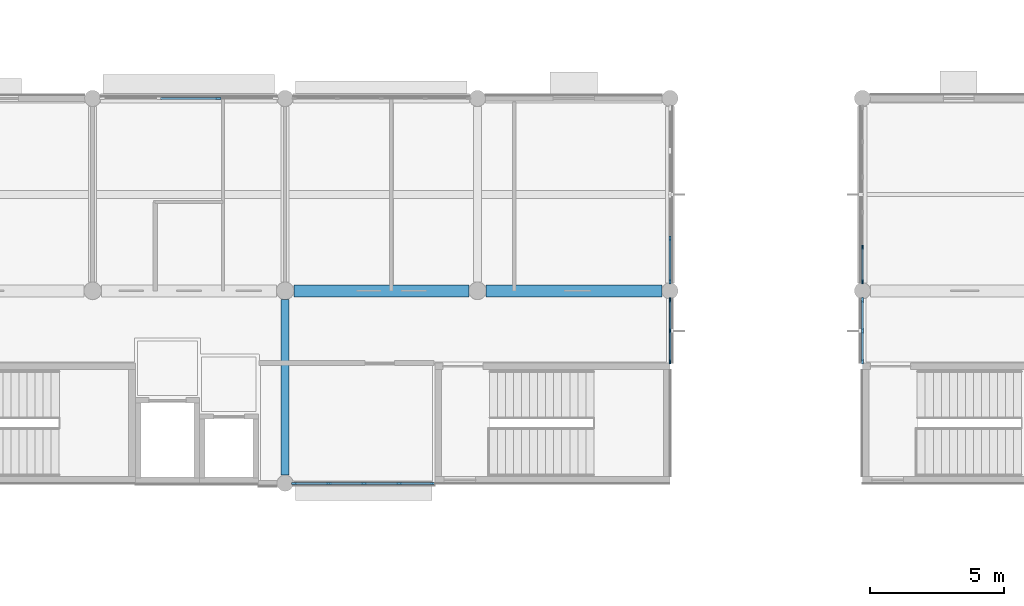
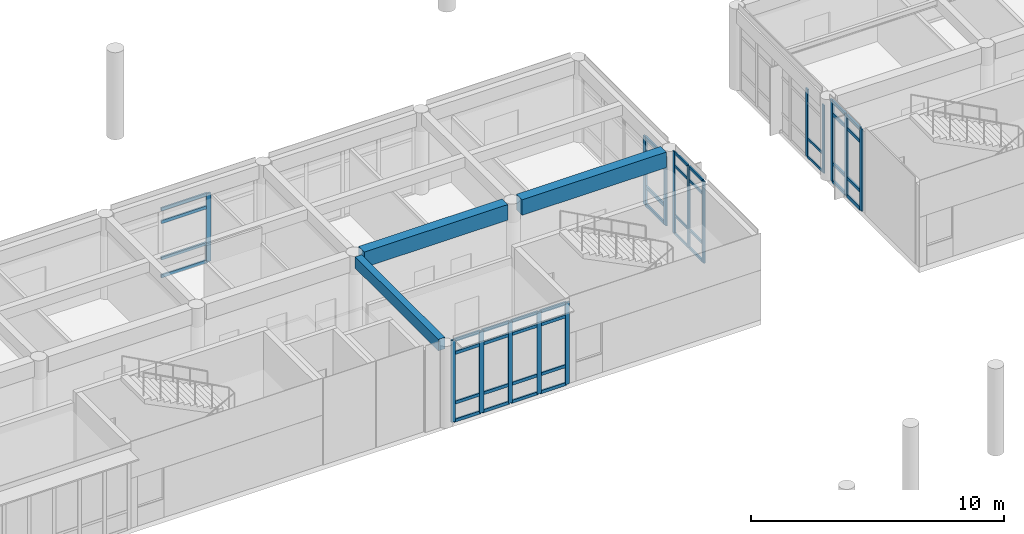
# One storey, part 10 of 55: 58 members, 3 beams, 6 elements without a shape of their own.
"""IFC4 building model written with IfcOpenShell, lengths in metres."""

from ifc_helpers import new_model, si_unit, direction, frame, origin, origin_2d, place, context, subcontext, project, spatial, rectangle, extrude, material, layer, layer_set, material_profile, profile_set, type_object, element, aggregate, save


model = new_model("IFC4")

# Units and contexts
model_context = context("Model", 3, precision=1e-05, world=origin(), true_north=direction((0.0, 1.0)))
body_context = subcontext(model_context, "Body", "Model", "MODEL_VIEW")
ifc_project = project(units=[si_unit("LENGTHUNIT", "METRE"), si_unit("AREAUNIT", "SQUARE_METRE"), si_unit("VOLUMEUNIT", "CUBIC_METRE"), si_unit("PLANEANGLEUNIT", "RADIAN"), si_unit("MASSUNIT", "GRAM", prefix="KILO")], contexts=[model_context])

# Site, building, storey
site_placement = place(None, origin())
site = spatial("IfcSite", under=ifc_project, at=site_placement, CompositionType="ELEMENT")
building_placement = place(site_placement, origin())
building = spatial("IfcBuilding", under=site, at=building_placement, Name="Namkhue Oval Health Centre", CompositionType="ELEMENT")
storey_placement = place(building_placement, frame((0.0, 0.0, 9.60009765625)))
storey = spatial("IfcBuildingStorey", under=building, at=storey_placement, Name="L02", CompositionType="ELEMENT", Elevation=9.60009765625)

# Curtain wall, members
ifc_material_1 = material(Name="Anodised aluminium EN AW-6063 T6", Category="aluminium")
ifc_layer_1 = layer(ifc_material_1, 0.159912109375)
ifc_layer_set_1 = layer_set([ifc_layer_1], Name="Anodised aluminium EN AW-6063 T6")
curtain_wall_type_1 = type_object("IfcCurtainWallType", Name="UNITISED CURTAIN WALL M1500", PredefinedType="NOTDEFINED", material=ifc_layer_set_1)
curtain_wall_1_placement = place(storey_placement, origin())
curtain_wall_1 = element("IfcCurtainWall", 1, at=curtain_wall_1_placement, inside=storey, type_object=curtain_wall_type_1, Name="Volume V2 L02 Unitised Curtain Wall 63", PredefinedType="NOTDEFINED")
ifc_material_profile_1 = material_profile(ifc_material_1, rectangle(XDim=0.06494140625, YDim=0.159912109375, at=origin_2d()), Name="ALU 65x160")
ifc_profile_set_1 = profile_set([ifc_material_profile_1], Name="Anodised aluminium EN AW-6063 T6")
member_type_1 = type_object("IfcMemberType", Name="CURTAIN WALL MULLION 65X160", PredefinedType="MULLION", material=ifc_profile_set_1)
member_1_placement = place(storey_placement, frame((86.39990234375, 94.549560546875, 0.0), z_axis=(0.0, 0.0, 1.0), x_axis=(-1.0, 0.0, 0.0)))
member_1 = element("IfcMember", 2, at=member_1_placement, type_object=member_type_1, Name="CW-03 mullion 1", PredefinedType="MULLION", context=body_context, shape_type="SweptSolid", body=[
    extrude(rectangle(XDim=0.06494140625, YDim=0.159912109375, at=origin_2d()), origin(), (0.0, 0.0, 1.0), 3.949951171875),
])
member_2_placement = place(storey_placement, frame((86.39990234375, 95.70361328125, 0.0), z_axis=(0.0, 0.0, 1.0), x_axis=(-1.0, 0.0, 0.0)))
member_2 = element("IfcMember", 3, at=member_2_placement, type_object=member_type_1, Name="CW-03 mullion 2", PredefinedType="MULLION", context=body_context, shape_type="SweptSolid", body=[
    extrude(rectangle(XDim=0.06494140625, YDim=0.159912109375, at=origin_2d()), origin(), (0.0, 0.0, 1.0), 3.949951171875),
])
member_3_placement = place(storey_placement, frame((86.39990234375, 96.857421875, 0.0), z_axis=(0.0, 0.0, 1.0), x_axis=(-1.0, 0.0, 0.0)))
member_3 = element("IfcMember", 4, at=member_3_placement, type_object=member_type_1, Name="CW-03 mullion 3", PredefinedType="MULLION", context=body_context, shape_type="SweptSolid", body=[
    extrude(rectangle(XDim=0.06494140625, YDim=0.159912109375, at=origin_2d()), origin(), (0.0, 0.0, 1.0), 3.949951171875),
])

ifc_layer_2 = layer(ifc_material_1, 0.159912109375)
ifc_layer_set_2 = layer_set([ifc_layer_2], Name="Anodised aluminium EN AW-6063 T6")
curtain_wall_type_2 = type_object("IfcCurtainWallType", Name="UNITISED CURTAIN WALL M1200", PredefinedType="NOTDEFINED", material=ifc_layer_set_2)
curtain_wall_2_placement = place(storey_placement, origin())
curtain_wall_2 = element("IfcCurtainWall", 5, at=curtain_wall_2_placement, inside=storey, type_object=curtain_wall_type_2, Name="Volume V3 L02 Unitised Curtain Wall 115", PredefinedType="NOTDEFINED")
member_4_placement = place(storey_placement, frame((93.60009765625, 98.825927734375, 0.0), z_axis=(0.0, 0.0, 1.0), x_axis=(1.0, 0.0, 0.0)))
member_4 = element("IfcMember", 6, at=member_4_placement, type_object=member_type_1, Name="CW-01 mullion 5", PredefinedType="MULLION", context=body_context, shape_type="SweptSolid", body=[
    extrude(rectangle(XDim=0.06494140625, YDim=0.159912109375, at=origin_2d()), origin(), (0.0, 0.0, 1.0), 3.27490234375),
])
member_5_placement = place(storey_placement, frame((93.60009765625, 97.54248046875, 0.0), z_axis=(0.0, 0.0, 1.0), x_axis=(1.0, 0.0, 0.0)))
member_5 = element("IfcMember", 7, at=member_5_placement, type_object=member_type_1, Name="CW-01 mullion 6", PredefinedType="MULLION", context=body_context, shape_type="SweptSolid", body=[
    extrude(rectangle(XDim=0.06494140625, YDim=0.159912109375, at=origin_2d()), origin(), (0.0, 0.0, 1.0), 3.27490234375),
])

ifc_layer_3 = layer(ifc_material_1, 0.159912109375)
ifc_layer_set_3 = layer_set([ifc_layer_3], Name="Anodised aluminium EN AW-6063 T6")
curtain_wall_type_3 = type_object("IfcCurtainWallType", Name="UNITISED CURTAIN WALL M1350", PredefinedType="NOTDEFINED", material=ifc_layer_set_3)
curtain_wall_3_placement = place(storey_placement, origin())
curtain_wall_3 = element("IfcCurtainWall", 8, at=curtain_wall_3_placement, inside=storey, type_object=curtain_wall_type_3, Name="Volume V2 L02 Unitised Curtain Wall 62", PredefinedType="NOTDEFINED")
ifc_material_profile_2 = material_profile(ifc_material_1, rectangle(XDim=0.074951171875, YDim=0.199951171875, at=origin_2d()), Name="ALU 75x200")
ifc_profile_set_2 = profile_set([ifc_material_profile_2], Name="Anodised aluminium EN AW-6063 T6")
member_type_2 = type_object("IfcMemberType", Name="CURTAIN WALL MULLION 75X200", PredefinedType="MULLION", material=ifc_profile_set_2)
member_6_placement = place(storey_placement, frame((72.347412109375, 90.0, 0.0), z_axis=(0.0, 0.0, 1.0), x_axis=(0.0, 1.0, 0.0)))
member_6 = element("IfcMember", 9, at=member_6_placement, type_object=member_type_2, Name="CW-02 mullion 1", PredefinedType="MULLION", context=body_context, shape_type="SweptSolid", body=[
    extrude(rectangle(XDim=0.074951171875, YDim=0.199951171875, at=origin_2d()), origin(), (0.0, 0.0, 1.0), 3.949951171875),
])
member_7_placement = place(storey_placement, frame((73.628173828125, 90.0, 0.0), z_axis=(0.0, 0.0, 1.0), x_axis=(0.0, 1.0, 0.0)))
member_7 = element("IfcMember", 10, at=member_7_placement, type_object=member_type_2, Name="CW-02 mullion 2", PredefinedType="MULLION", context=body_context, shape_type="SweptSolid", body=[
    extrude(rectangle(XDim=0.074951171875, YDim=0.199951171875, at=origin_2d()), origin(), (0.0, 0.0, 1.0), 3.949951171875),
])
member_8_placement = place(storey_placement, frame((74.946533203125, 90.0, 0.0), z_axis=(0.0, 0.0, 1.0), x_axis=(0.0, 1.0, 0.0)))
member_8 = element("IfcMember", 11, at=member_8_placement, type_object=member_type_2, Name="CW-02 mullion 3", PredefinedType="MULLION", context=body_context, shape_type="SweptSolid", body=[
    extrude(rectangle(XDim=0.074951171875, YDim=0.199951171875, at=origin_2d()), origin(), (0.0, 0.0, 1.0), 3.949951171875),
])
member_9_placement = place(storey_placement, frame((76.2646484375, 90.0, 0.0), z_axis=(0.0, 0.0, 1.0), x_axis=(0.0, 1.0, 0.0)))
member_9 = element("IfcMember", 12, at=member_9_placement, type_object=member_type_2, Name="CW-02 mullion 4", PredefinedType="MULLION", context=body_context, shape_type="SweptSolid", body=[
    extrude(rectangle(XDim=0.074951171875, YDim=0.199951171875, at=origin_2d()), origin(), (0.0, 0.0, 1.0), 3.949951171875),
])
member_10_placement = place(storey_placement, frame((77.54541015625, 90.0, 0.0), z_axis=(0.0, 0.0, 1.0), x_axis=(0.0, 1.0, 0.0)))
member_10 = element("IfcMember", 13, at=member_10_placement, type_object=member_type_2, Name="CW-02 mullion 5", PredefinedType="MULLION", context=body_context, shape_type="SweptSolid", body=[
    extrude(rectangle(XDim=0.074951171875, YDim=0.199951171875, at=origin_2d()), origin(), (0.0, 0.0, 1.0), 3.949951171875),
])

ifc_layer_4 = layer(ifc_material_1, 0.159912109375)
ifc_layer_set_4 = layer_set([ifc_layer_4], Name="Anodised aluminium EN AW-6063 T6")
curtain_wall_type_4 = type_object("IfcCurtainWallType", Name="UNITISED CURTAIN WALL M1600", PredefinedType="NOTDEFINED", material=ifc_layer_set_4)
curtain_wall_4_placement = place(storey_placement, origin())
curtain_wall_4 = element("IfcCurtainWall", 14, at=curtain_wall_4_placement, inside=storey, type_object=curtain_wall_type_4, Name="Volume V2 L02 Unitised Curtain Wall 64", PredefinedType="NOTDEFINED")
member_11_placement = place(storey_placement, frame((86.39990234375, 97.547607421875, 0.0), z_axis=(0.0, 0.0, 1.0), x_axis=(-1.0, 0.0, 0.0)))
member_11 = element("IfcMember", 15, at=member_11_placement, type_object=member_type_2, Name="CW-04 mullion 1", PredefinedType="MULLION", context=body_context, shape_type="SweptSolid", body=[
    extrude(rectangle(XDim=0.074951171875, YDim=0.199951171875, at=origin_2d()), origin(), (0.0, 0.0, 1.0), 3.2998046875),
])
member_12_placement = place(storey_placement, frame((86.39990234375, 99.155029296875, 0.0), z_axis=(0.0, 0.0, 1.0), x_axis=(-1.0, 0.0, 0.0)))
member_12 = element("IfcMember", 16, at=member_12_placement, type_object=member_type_2, Name="CW-04 mullion 2", PredefinedType="MULLION", context=body_context, shape_type="SweptSolid", body=[
    extrude(rectangle(XDim=0.074951171875, YDim=0.199951171875, at=origin_2d()), origin(), (0.0, 0.0, 1.0), 3.2998046875),
])

# Curtain wall, member
ifc_layer_5 = layer(ifc_material_1, 0.159912109375)
ifc_layer_set_5 = layer_set([ifc_layer_5], Name="Anodised aluminium EN AW-6063 T6")
curtain_wall_type_5 = type_object("IfcCurtainWallType", Name="UNITISED CURTAIN WALL M2000", PredefinedType="NOTDEFINED", material=ifc_layer_set_5)
curtain_wall_5_placement = place(storey_placement, origin())
curtain_wall_5 = element("IfcCurtainWall", 17, at=curtain_wall_5_placement, inside=storey, type_object=curtain_wall_type_5, Name="Volume V2 L02 Unitised Curtain Wall 66", PredefinedType="NOTDEFINED")
member_13_placement = place(storey_placement, frame((69.49658203125, 104.39990234375, 0.0), z_axis=(0.0, 0.0, 1.0), x_axis=(0.0, -1.0, 0.0)))
member_13 = element("IfcMember", 18, at=member_13_placement, type_object=member_type_2, Name="CW-06 mullion 2", PredefinedType="MULLION", context=body_context, shape_type="SweptSolid", body=[
    extrude(rectangle(XDim=0.074951171875, YDim=0.199951171875, at=origin_2d()), origin(), (0.0, 0.0, 1.0), 3.2998046875),
])

# Curtain wall, members
curtain_wall_6_placement = place(storey_placement, origin())
curtain_wall_6 = element("IfcCurtainWall", 19, at=curtain_wall_6_placement, inside=storey, type_object=curtain_wall_type_3, Name="Volume V3 L02 Unitised Curtain Wall 116", PredefinedType="NOTDEFINED")
member_14_placement = place(storey_placement, frame((93.60009765625, 96.8525390625, 0.0), z_axis=(0.0, 0.0, 1.0), x_axis=(1.0, 0.0, 0.0)))
member_14 = element("IfcMember", 20, at=member_14_placement, type_object=member_type_2, Name="CW-02 mullion 1", PredefinedType="MULLION", context=body_context, shape_type="SweptSolid", body=[
    extrude(rectangle(XDim=0.074951171875, YDim=0.199951171875, at=origin_2d()), origin(), (0.0, 0.0, 1.0), 3.9248046875),
])
member_15_placement = place(storey_placement, frame((93.60009765625, 95.70361328125, 0.0), z_axis=(0.0, 0.0, 1.0), x_axis=(1.0, 0.0, 0.0)))
member_15 = element("IfcMember", 21, at=member_15_placement, type_object=member_type_2, Name="CW-02 mullion 2", PredefinedType="MULLION", context=body_context, shape_type="SweptSolid", body=[
    extrude(rectangle(XDim=0.074951171875, YDim=0.199951171875, at=origin_2d()), origin(), (0.0, 0.0, 1.0), 3.9248046875),
])
member_16_placement = place(storey_placement, frame((93.60009765625, 94.554443359375, 0.0), z_axis=(0.0, 0.0, 1.0), x_axis=(1.0, 0.0, 0.0)))
member_16 = element("IfcMember", 22, at=member_16_placement, type_object=member_type_2, Name="CW-02 mullion 3", PredefinedType="MULLION", context=body_context, shape_type="SweptSolid", body=[
    extrude(rectangle(XDim=0.074951171875, YDim=0.199951171875, at=origin_2d()), origin(), (0.0, 0.0, 1.0), 3.9248046875),
])

# Member
ifc_material_profile_3 = material_profile(ifc_material_1, rectangle(XDim=0.06494140625, YDim=0.1201171875, at=origin_2d()), Name="ALU 65x120")
ifc_profile_set_3 = profile_set([ifc_material_profile_3], Name="Anodised aluminium EN AW-6063 T6")
member_type_3 = type_object("IfcMemberType", Name="CURTAIN WALL TRANSOM 65X120", PredefinedType="USERDEFINED", material=ifc_profile_set_3)
member_17_placement = place(storey_placement, frame((86.39990234375, 94.58203125, 0.032470703125), z_axis=(0.0, 1.0, 0.0), x_axis=(-1.0, 0.0, 0.0)))
member_17 = element("IfcMember", 23, at=member_17_placement, type_object=member_type_3, Name="CW-03 transom 1.1", ObjectType="TRANSOM", PredefinedType="USERDEFINED", context=body_context, shape_type="SweptSolid", body=[
    extrude(rectangle(XDim=0.06494140625, YDim=0.1201171875, at=origin_2d()), origin(), (0.0, 0.0, 1.0), 1.0888671875),
])

member_18_placement = place(storey_placement, frame((86.39990234375, 94.58203125, 0.89990234375), z_axis=(0.0, 1.0, 0.0), x_axis=(-1.0, 0.0, 0.0)))
member_18 = element("IfcMember", 24, at=member_18_placement, type_object=member_type_3, Name="CW-03 transom 1.2", ObjectType="TRANSOM", PredefinedType="USERDEFINED", context=body_context, shape_type="SweptSolid", body=[
    extrude(rectangle(XDim=0.06494140625, YDim=0.1201171875, at=origin_2d()), origin(), (0.0, 0.0, 1.0), 1.0888671875),
])

member_19_placement = place(storey_placement, frame((86.39990234375, 94.58203125, 3.2998046875), z_axis=(0.0, 1.0, 0.0), x_axis=(-1.0, 0.0, 0.0)))
member_19 = element("IfcMember", 25, at=member_19_placement, type_object=member_type_3, Name="CW-03 transom 1.3", ObjectType="TRANSOM", PredefinedType="USERDEFINED", context=body_context, shape_type="SweptSolid", body=[
    extrude(rectangle(XDim=0.06494140625, YDim=0.1201171875, at=origin_2d()), origin(), (0.0, 0.0, 1.0), 1.0888671875),
])

member_20_placement = place(storey_placement, frame((86.39990234375, 94.58203125, 3.91748046875), z_axis=(0.0, 1.0, 0.0), x_axis=(-1.0, 0.0, 0.0)))
member_20 = element("IfcMember", 26, at=member_20_placement, type_object=member_type_3, Name="CW-03 transom 1.4", ObjectType="TRANSOM", PredefinedType="USERDEFINED", context=body_context, shape_type="SweptSolid", body=[
    extrude(rectangle(XDim=0.06494140625, YDim=0.1201171875, at=origin_2d()), origin(), (0.0, 0.0, 1.0), 1.0888671875),
])

member_21_placement = place(storey_placement, frame((86.39990234375, 95.736083984375, 0.032470703125), z_axis=(0.0, 1.0, 0.0), x_axis=(-1.0, 0.0, 0.0)))
member_21 = element("IfcMember", 27, at=member_21_placement, type_object=member_type_3, Name="CW-03 transom 2.1", ObjectType="TRANSOM", PredefinedType="USERDEFINED", context=body_context, shape_type="SweptSolid", body=[
    extrude(rectangle(XDim=0.06494140625, YDim=0.1201171875, at=origin_2d()), origin(), (0.0, 0.0, 1.0), 1.0888671875),
])

member_22_placement = place(storey_placement, frame((86.39990234375, 95.736083984375, 0.89990234375), z_axis=(0.0, 1.0, 0.0), x_axis=(-1.0, 0.0, 0.0)))
member_22 = element("IfcMember", 28, at=member_22_placement, type_object=member_type_3, Name="CW-03 transom 2.2", ObjectType="TRANSOM", PredefinedType="USERDEFINED", context=body_context, shape_type="SweptSolid", body=[
    extrude(rectangle(XDim=0.06494140625, YDim=0.1201171875, at=origin_2d()), origin(), (0.0, 0.0, 1.0), 1.0888671875),
])

member_23_placement = place(storey_placement, frame((86.39990234375, 95.736083984375, 3.2998046875), z_axis=(0.0, 1.0, 0.0), x_axis=(-1.0, 0.0, 0.0)))
member_23 = element("IfcMember", 29, at=member_23_placement, type_object=member_type_3, Name="CW-03 transom 2.3", ObjectType="TRANSOM", PredefinedType="USERDEFINED", context=body_context, shape_type="SweptSolid", body=[
    extrude(rectangle(XDim=0.06494140625, YDim=0.1201171875, at=origin_2d()), origin(), (0.0, 0.0, 1.0), 1.0888671875),
])

member_24_placement = place(storey_placement, frame((86.39990234375, 95.736083984375, 3.91748046875), z_axis=(0.0, 1.0, 0.0), x_axis=(-1.0, 0.0, 0.0)))
member_24 = element("IfcMember", 30, at=member_24_placement, type_object=member_type_3, Name="CW-03 transom 2.4", ObjectType="TRANSOM", PredefinedType="USERDEFINED", context=body_context, shape_type="SweptSolid", body=[
    extrude(rectangle(XDim=0.06494140625, YDim=0.1201171875, at=origin_2d()), origin(), (0.0, 0.0, 1.0), 1.0888671875),
])

aggregate(curtain_wall_1, [member_1, member_2, member_3, member_17, member_18, member_19, member_20, member_21, member_22, member_23, member_24])

member_25_placement = place(storey_placement, frame((93.60009765625, 98.79345703125, 0.032470703125), z_axis=(0.0, -1.0, 0.0), x_axis=(1.0, 0.0, 0.0)))
member_25 = element("IfcMember", 31, at=member_25_placement, type_object=member_type_3, Name="CW-01 transom 5.1", ObjectType="TRANSOM", PredefinedType="USERDEFINED", context=body_context, shape_type="SweptSolid", body=[
    extrude(rectangle(XDim=0.06494140625, YDim=0.1201171875, at=origin_2d()), origin(), (0.0, 0.0, 1.0), 1.218505859375),
])

member_26_placement = place(storey_placement, frame((93.60009765625, 98.79345703125, 0.89990234375), z_axis=(0.0, -1.0, 0.0), x_axis=(1.0, 0.0, 0.0)))
member_26 = element("IfcMember", 32, at=member_26_placement, type_object=member_type_3, Name="CW-01 transom 5.2", ObjectType="TRANSOM", PredefinedType="USERDEFINED", context=body_context, shape_type="SweptSolid", body=[
    extrude(rectangle(XDim=0.06494140625, YDim=0.1201171875, at=origin_2d()), origin(), (0.0, 0.0, 1.0), 1.218505859375),
])

aggregate(curtain_wall_2, [member_4, member_5, member_25, member_26])

ifc_material_profile_4 = material_profile(ifc_material_1, rectangle(XDim=0.074951171875, YDim=0.14990234375, at=origin_2d()), Name="ALU 75x150")
ifc_profile_set_4 = profile_set([ifc_material_profile_4], Name="Anodised aluminium EN AW-6063 T6")
member_type_4 = type_object("IfcMemberType", Name="CURTAIN WALL TRANSOM 75X150", PredefinedType="USERDEFINED", material=ifc_profile_set_4)
member_27_placement = place(storey_placement, frame((72.385009765625, 90.0, 0.037353515625), z_axis=(1.0, 0.0, 0.0), x_axis=(0.0, 1.0, 0.0)))
member_27 = element("IfcMember", 33, at=member_27_placement, type_object=member_type_4, Name="CW-02 transom 1.1", ObjectType="TRANSOM", PredefinedType="USERDEFINED", context=body_context, shape_type="SweptSolid", body=[
    extrude(rectangle(XDim=0.074951171875, YDim=0.14990234375, at=origin_2d()), origin(), (0.0, 0.0, 1.0), 1.205810546875),
])

member_28_placement = place(storey_placement, frame((72.385009765625, 90.0, 0.89990234375), z_axis=(1.0, 0.0, 0.0), x_axis=(0.0, 1.0, 0.0)))
member_28 = element("IfcMember", 34, at=member_28_placement, type_object=member_type_4, Name="CW-02 transom 1.2", ObjectType="TRANSOM", PredefinedType="USERDEFINED", context=body_context, shape_type="SweptSolid", body=[
    extrude(rectangle(XDim=0.074951171875, YDim=0.14990234375, at=origin_2d()), origin(), (0.0, 0.0, 1.0), 1.205810546875),
])

member_29_placement = place(storey_placement, frame((72.385009765625, 90.0, 3.2998046875), z_axis=(1.0, 0.0, 0.0), x_axis=(0.0, 1.0, 0.0)))
member_29 = element("IfcMember", 35, at=member_29_placement, type_object=member_type_4, Name="CW-02 transom 1.3", ObjectType="TRANSOM", PredefinedType="USERDEFINED", context=body_context, shape_type="SweptSolid", body=[
    extrude(rectangle(XDim=0.074951171875, YDim=0.14990234375, at=origin_2d()), origin(), (0.0, 0.0, 1.0), 1.205810546875),
])

member_30_placement = place(storey_placement, frame((72.385009765625, 90.0, 3.912353515625), z_axis=(1.0, 0.0, 0.0), x_axis=(0.0, 1.0, 0.0)))
member_30 = element("IfcMember", 36, at=member_30_placement, type_object=member_type_4, Name="CW-02 transom 1.4", ObjectType="TRANSOM", PredefinedType="USERDEFINED", context=body_context, shape_type="SweptSolid", body=[
    extrude(rectangle(XDim=0.074951171875, YDim=0.14990234375, at=origin_2d()), origin(), (0.0, 0.0, 1.0), 1.205810546875),
])

member_31_placement = place(storey_placement, frame((73.665771484375, 90.0, 0.037353515625), z_axis=(1.0, 0.0, 0.0), x_axis=(0.0, 1.0, 0.0)))
member_31 = element("IfcMember", 37, at=member_31_placement, type_object=member_type_4, Name="CW-02 transom 2.1", ObjectType="TRANSOM", PredefinedType="USERDEFINED", context=body_context, shape_type="SweptSolid", body=[
    extrude(rectangle(XDim=0.074951171875, YDim=0.14990234375, at=origin_2d()), origin(), (0.0, 0.0, 1.0), 1.2431640625),
])

member_32_placement = place(storey_placement, frame((73.665771484375, 90.0, 0.89990234375), z_axis=(1.0, 0.0, 0.0), x_axis=(0.0, 1.0, 0.0)))
member_32 = element("IfcMember", 38, at=member_32_placement, type_object=member_type_4, Name="CW-02 transom 2.2", ObjectType="TRANSOM", PredefinedType="USERDEFINED", context=body_context, shape_type="SweptSolid", body=[
    extrude(rectangle(XDim=0.074951171875, YDim=0.14990234375, at=origin_2d()), origin(), (0.0, 0.0, 1.0), 1.2431640625),
])

member_33_placement = place(storey_placement, frame((73.665771484375, 90.0, 3.2998046875), z_axis=(1.0, 0.0, 0.0), x_axis=(0.0, 1.0, 0.0)))
member_33 = element("IfcMember", 39, at=member_33_placement, type_object=member_type_4, Name="CW-02 transom 2.3", ObjectType="TRANSOM", PredefinedType="USERDEFINED", context=body_context, shape_type="SweptSolid", body=[
    extrude(rectangle(XDim=0.074951171875, YDim=0.14990234375, at=origin_2d()), origin(), (0.0, 0.0, 1.0), 1.2431640625),
])

member_34_placement = place(storey_placement, frame((73.665771484375, 90.0, 3.912353515625), z_axis=(1.0, 0.0, 0.0), x_axis=(0.0, 1.0, 0.0)))
member_34 = element("IfcMember", 40, at=member_34_placement, type_object=member_type_4, Name="CW-02 transom 2.4", ObjectType="TRANSOM", PredefinedType="USERDEFINED", context=body_context, shape_type="SweptSolid", body=[
    extrude(rectangle(XDim=0.074951171875, YDim=0.14990234375, at=origin_2d()), origin(), (0.0, 0.0, 1.0), 1.2431640625),
])

member_35_placement = place(storey_placement, frame((74.98388671875, 90.0, 0.037353515625), z_axis=(1.0, 0.0, 0.0), x_axis=(0.0, 1.0, 0.0)))
member_35 = element("IfcMember", 41, at=member_35_placement, type_object=member_type_4, Name="CW-02 transom 3.1", ObjectType="TRANSOM", PredefinedType="USERDEFINED", context=body_context, shape_type="SweptSolid", body=[
    extrude(rectangle(XDim=0.074951171875, YDim=0.14990234375, at=origin_2d()), origin(), (0.0, 0.0, 1.0), 1.243408203125),
])

member_36_placement = place(storey_placement, frame((74.98388671875, 90.0, 0.89990234375), z_axis=(1.0, 0.0, 0.0), x_axis=(0.0, 1.0, 0.0)))
member_36 = element("IfcMember", 42, at=member_36_placement, type_object=member_type_4, Name="CW-02 transom 3.2", ObjectType="TRANSOM", PredefinedType="USERDEFINED", context=body_context, shape_type="SweptSolid", body=[
    extrude(rectangle(XDim=0.074951171875, YDim=0.14990234375, at=origin_2d()), origin(), (0.0, 0.0, 1.0), 1.243408203125),
])

member_37_placement = place(storey_placement, frame((74.98388671875, 90.0, 3.2998046875), z_axis=(1.0, 0.0, 0.0), x_axis=(0.0, 1.0, 0.0)))
member_37 = element("IfcMember", 43, at=member_37_placement, type_object=member_type_4, Name="CW-02 transom 3.3", ObjectType="TRANSOM", PredefinedType="USERDEFINED", context=body_context, shape_type="SweptSolid", body=[
    extrude(rectangle(XDim=0.074951171875, YDim=0.14990234375, at=origin_2d()), origin(), (0.0, 0.0, 1.0), 1.243408203125),
])

member_38_placement = place(storey_placement, frame((74.98388671875, 90.0, 3.912353515625), z_axis=(1.0, 0.0, 0.0), x_axis=(0.0, 1.0, 0.0)))
member_38 = element("IfcMember", 44, at=member_38_placement, type_object=member_type_4, Name="CW-02 transom 3.4", ObjectType="TRANSOM", PredefinedType="USERDEFINED", context=body_context, shape_type="SweptSolid", body=[
    extrude(rectangle(XDim=0.074951171875, YDim=0.14990234375, at=origin_2d()), origin(), (0.0, 0.0, 1.0), 1.243408203125),
])

member_39_placement = place(storey_placement, frame((76.30224609375, 90.0, 0.037353515625), z_axis=(1.0, 0.0, 0.0), x_axis=(0.0, 1.0, 0.0)))
member_39 = element("IfcMember", 45, at=member_39_placement, type_object=member_type_4, Name="CW-02 transom 4.1", ObjectType="TRANSOM", PredefinedType="USERDEFINED", context=body_context, shape_type="SweptSolid", body=[
    extrude(rectangle(XDim=0.074951171875, YDim=0.14990234375, at=origin_2d()), origin(), (0.0, 0.0, 1.0), 1.205810546875),
])

member_40_placement = place(storey_placement, frame((76.30224609375, 90.0, 0.89990234375), z_axis=(1.0, 0.0, 0.0), x_axis=(0.0, 1.0, 0.0)))
member_40 = element("IfcMember", 46, at=member_40_placement, type_object=member_type_4, Name="CW-02 transom 4.2", ObjectType="TRANSOM", PredefinedType="USERDEFINED", context=body_context, shape_type="SweptSolid", body=[
    extrude(rectangle(XDim=0.074951171875, YDim=0.14990234375, at=origin_2d()), origin(), (0.0, 0.0, 1.0), 1.205810546875),
])

member_41_placement = place(storey_placement, frame((76.30224609375, 90.0, 3.2998046875), z_axis=(1.0, 0.0, 0.0), x_axis=(0.0, 1.0, 0.0)))
member_41 = element("IfcMember", 47, at=member_41_placement, type_object=member_type_4, Name="CW-02 transom 4.3", ObjectType="TRANSOM", PredefinedType="USERDEFINED", context=body_context, shape_type="SweptSolid", body=[
    extrude(rectangle(XDim=0.074951171875, YDim=0.14990234375, at=origin_2d()), origin(), (0.0, 0.0, 1.0), 1.205810546875),
])

member_42_placement = place(storey_placement, frame((76.30224609375, 90.0, 3.912353515625), z_axis=(1.0, 0.0, 0.0), x_axis=(0.0, 1.0, 0.0)))
member_42 = element("IfcMember", 48, at=member_42_placement, type_object=member_type_4, Name="CW-02 transom 4.4", ObjectType="TRANSOM", PredefinedType="USERDEFINED", context=body_context, shape_type="SweptSolid", body=[
    extrude(rectangle(XDim=0.074951171875, YDim=0.14990234375, at=origin_2d()), origin(), (0.0, 0.0, 1.0), 1.205810546875),
])

aggregate(curtain_wall_3, [member_6, member_7, member_8, member_9, member_10, member_27, member_28, member_29, member_30, member_31, member_32, member_33, member_34, member_35, member_36, member_37, member_38, member_39, member_40, member_41, member_42])

member_43_placement = place(storey_placement, frame((86.39990234375, 97.5849609375, 0.037353515625), z_axis=(0.0, 1.0, 0.0), x_axis=(-1.0, 0.0, 0.0)))
member_43 = element("IfcMember", 49, at=member_43_placement, type_object=member_type_4, Name="CW-04 transom 1.1", ObjectType="TRANSOM", PredefinedType="USERDEFINED", context=body_context, shape_type="SweptSolid", body=[
    extrude(rectangle(XDim=0.074951171875, YDim=0.14990234375, at=origin_2d()), origin(), (0.0, 0.0, 1.0), 1.532470703125),
])

member_44_placement = place(storey_placement, frame((86.39990234375, 97.5849609375, 0.89990234375), z_axis=(0.0, 1.0, 0.0), x_axis=(-1.0, 0.0, 0.0)))
member_44 = element("IfcMember", 50, at=member_44_placement, type_object=member_type_4, Name="CW-04 transom 1.2", ObjectType="TRANSOM", PredefinedType="USERDEFINED", context=body_context, shape_type="SweptSolid", body=[
    extrude(rectangle(XDim=0.074951171875, YDim=0.14990234375, at=origin_2d()), origin(), (0.0, 0.0, 1.0), 1.532470703125),
])

member_45_placement = place(storey_placement, frame((86.39990234375, 97.5849609375, 2.64990234375), z_axis=(0.0, 1.0, 0.0), x_axis=(-1.0, 0.0, 0.0)))
member_45 = element("IfcMember", 51, at=member_45_placement, type_object=member_type_4, Name="CW-04 transom 1.3", ObjectType="TRANSOM", PredefinedType="USERDEFINED", context=body_context, shape_type="SweptSolid", body=[
    extrude(rectangle(XDim=0.074951171875, YDim=0.14990234375, at=origin_2d()), origin(), (0.0, 0.0, 1.0), 1.532470703125),
])

member_46_placement = place(storey_placement, frame((86.39990234375, 97.5849609375, 3.262451171875), z_axis=(0.0, 1.0, 0.0), x_axis=(-1.0, 0.0, 0.0)))
member_46 = element("IfcMember", 52, at=member_46_placement, type_object=member_type_4, Name="CW-04 transom 1.4", ObjectType="TRANSOM", PredefinedType="USERDEFINED", context=body_context, shape_type="SweptSolid", body=[
    extrude(rectangle(XDim=0.074951171875, YDim=0.14990234375, at=origin_2d()), origin(), (0.0, 0.0, 1.0), 1.532470703125),
])

aggregate(curtain_wall_4, [member_11, member_12, member_43, member_44, member_45, member_46])

member_47_placement = place(storey_placement, frame((69.459228515625, 104.39990234375, 0.037353515625), z_axis=(-1.0, 0.0, 0.0), x_axis=(0.0, -1.0, 0.0)))
member_47 = element("IfcMember", 53, at=member_47_placement, type_object=member_type_4, Name="CW-06 transom 2.1", ObjectType="TRANSOM", PredefinedType="USERDEFINED", context=body_context, shape_type="SweptSolid", body=[
    extrude(rectangle(XDim=0.074951171875, YDim=0.14990234375, at=origin_2d()), origin(), (0.0, 0.0, 1.0), 2.118408203125),
])

member_48_placement = place(storey_placement, frame((69.459228515625, 104.39990234375, 0.89990234375), z_axis=(-1.0, 0.0, 0.0), x_axis=(0.0, -1.0, 0.0)))
member_48 = element("IfcMember", 54, at=member_48_placement, type_object=member_type_4, Name="CW-06 transom 2.2", ObjectType="TRANSOM", PredefinedType="USERDEFINED", context=body_context, shape_type="SweptSolid", body=[
    extrude(rectangle(XDim=0.074951171875, YDim=0.14990234375, at=origin_2d()), origin(), (0.0, 0.0, 1.0), 2.118408203125),
])

member_49_placement = place(storey_placement, frame((69.459228515625, 104.39990234375, 2.64990234375), z_axis=(-1.0, 0.0, 0.0), x_axis=(0.0, -1.0, 0.0)))
member_49 = element("IfcMember", 55, at=member_49_placement, type_object=member_type_4, Name="CW-06 transom 2.3", ObjectType="TRANSOM", PredefinedType="USERDEFINED", context=body_context, shape_type="SweptSolid", body=[
    extrude(rectangle(XDim=0.074951171875, YDim=0.14990234375, at=origin_2d()), origin(), (0.0, 0.0, 1.0), 2.118408203125),
])

member_50_placement = place(storey_placement, frame((69.459228515625, 104.39990234375, 3.262451171875), z_axis=(-1.0, 0.0, 0.0), x_axis=(0.0, -1.0, 0.0)))
member_50 = element("IfcMember", 56, at=member_50_placement, type_object=member_type_4, Name="CW-06 transom 2.4", ObjectType="TRANSOM", PredefinedType="USERDEFINED", context=body_context, shape_type="SweptSolid", body=[
    extrude(rectangle(XDim=0.074951171875, YDim=0.14990234375, at=origin_2d()), origin(), (0.0, 0.0, 1.0), 2.118408203125),
])

aggregate(curtain_wall_5, [member_13, member_47, member_48, member_49, member_50])

member_51_placement = place(storey_placement, frame((93.60009765625, 96.81494140625, 0.037353515625), z_axis=(0.0, -1.0, 0.0), x_axis=(1.0, 0.0, 0.0)))
member_51 = element("IfcMember", 57, at=member_51_placement, type_object=member_type_4, Name="CW-02 transom 1.1", ObjectType="TRANSOM", PredefinedType="USERDEFINED", context=body_context, shape_type="SweptSolid", body=[
    extrude(rectangle(XDim=0.074951171875, YDim=0.14990234375, at=origin_2d()), origin(), (0.0, 0.0, 1.0), 1.073974609375),
])

member_52_placement = place(storey_placement, frame((93.60009765625, 96.81494140625, 0.89990234375), z_axis=(0.0, -1.0, 0.0), x_axis=(1.0, 0.0, 0.0)))
member_52 = element("IfcMember", 58, at=member_52_placement, type_object=member_type_4, Name="CW-02 transom 1.2", ObjectType="TRANSOM", PredefinedType="USERDEFINED", context=body_context, shape_type="SweptSolid", body=[
    extrude(rectangle(XDim=0.074951171875, YDim=0.14990234375, at=origin_2d()), origin(), (0.0, 0.0, 1.0), 1.073974609375),
])

member_53_placement = place(storey_placement, frame((93.60009765625, 96.81494140625, 3.27490234375), z_axis=(0.0, -1.0, 0.0), x_axis=(1.0, 0.0, 0.0)))
member_53 = element("IfcMember", 59, at=member_53_placement, type_object=member_type_4, Name="CW-02 transom 1.3", ObjectType="TRANSOM", PredefinedType="USERDEFINED", context=body_context, shape_type="SweptSolid", body=[
    extrude(rectangle(XDim=0.074951171875, YDim=0.14990234375, at=origin_2d()), origin(), (0.0, 0.0, 1.0), 1.073974609375),
])

member_54_placement = place(storey_placement, frame((93.60009765625, 96.81494140625, 3.887451171875), z_axis=(0.0, -1.0, 0.0), x_axis=(1.0, 0.0, 0.0)))
member_54 = element("IfcMember", 60, at=member_54_placement, type_object=member_type_4, Name="CW-02 transom 1.4", ObjectType="TRANSOM", PredefinedType="USERDEFINED", context=body_context, shape_type="SweptSolid", body=[
    extrude(rectangle(XDim=0.074951171875, YDim=0.14990234375, at=origin_2d()), origin(), (0.0, 0.0, 1.0), 1.073974609375),
])

member_55_placement = place(storey_placement, frame((93.60009765625, 95.666015625, 0.037353515625), z_axis=(0.0, -1.0, 0.0), x_axis=(1.0, 0.0, 0.0)))
member_55 = element("IfcMember", 61, at=member_55_placement, type_object=member_type_4, Name="CW-02 transom 2.1", ObjectType="TRANSOM", PredefinedType="USERDEFINED", context=body_context, shape_type="SweptSolid", body=[
    extrude(rectangle(XDim=0.074951171875, YDim=0.14990234375, at=origin_2d()), origin(), (0.0, 0.0, 1.0), 1.073974609375),
])

member_56_placement = place(storey_placement, frame((93.60009765625, 95.666015625, 0.89990234375), z_axis=(0.0, -1.0, 0.0), x_axis=(1.0, 0.0, 0.0)))
member_56 = element("IfcMember", 62, at=member_56_placement, type_object=member_type_4, Name="CW-02 transom 2.2", ObjectType="TRANSOM", PredefinedType="USERDEFINED", context=body_context, shape_type="SweptSolid", body=[
    extrude(rectangle(XDim=0.074951171875, YDim=0.14990234375, at=origin_2d()), origin(), (0.0, 0.0, 1.0), 1.073974609375),
])

member_57_placement = place(storey_placement, frame((93.60009765625, 95.666015625, 3.27490234375), z_axis=(0.0, -1.0, 0.0), x_axis=(1.0, 0.0, 0.0)))
member_57 = element("IfcMember", 63, at=member_57_placement, type_object=member_type_4, Name="CW-02 transom 2.3", ObjectType="TRANSOM", PredefinedType="USERDEFINED", context=body_context, shape_type="SweptSolid", body=[
    extrude(rectangle(XDim=0.074951171875, YDim=0.14990234375, at=origin_2d()), origin(), (0.0, 0.0, 1.0), 1.073974609375),
])

member_58_placement = place(storey_placement, frame((93.60009765625, 95.666015625, 3.887451171875), z_axis=(0.0, -1.0, 0.0), x_axis=(1.0, 0.0, 0.0)))
member_58 = element("IfcMember", 64, at=member_58_placement, type_object=member_type_4, Name="CW-02 transom 2.4", ObjectType="TRANSOM", PredefinedType="USERDEFINED", context=body_context, shape_type="SweptSolid", body=[
    extrude(rectangle(XDim=0.074951171875, YDim=0.14990234375, at=origin_2d()), origin(), (0.0, 0.0, 1.0), 1.073974609375),
])

aggregate(curtain_wall_6, [member_14, member_15, member_16, member_51, member_52, member_53, member_54, member_55, member_56, member_57, member_58])

# Beams
ifc_material_2 = material(Name="Reinforced concrete C30/37 (TCVN B35)", Category="concrete")
ifc_material_profile_5 = material_profile(ifc_material_2, rectangle(XDim=0.300048828125, YDim=0.550048828125, at=origin_2d()), Name="RC 300x550")
ifc_profile_set_5 = profile_set([ifc_material_profile_5], Name="Reinforced concrete C30/37 (TCVN B35)")
beam_type_1 = type_object("IfcBeamType", Name="FLOOR BEAM RC 300X550", PredefinedType="BEAM", material=ifc_profile_set_5)
beam_1_placement = place(storey_placement, frame((72.0, 90.300048828125, 3.6748046875), z_axis=(0.0, 1.0, 0.0), x_axis=(-1.0, 0.0, 0.0)))
element("IfcBeam", 65, at=beam_1_placement, inside=storey, type_object=beam_type_1, Name="Volume V2 L03 Beam 11/N-O", PredefinedType="BEAM", context=body_context, shape_type="SweptSolid", body=[
    extrude(rectangle(XDim=0.300048828125, YDim=0.550048828125, at=origin_2d()), origin(), (0.0, 0.0, 1.0), 6.574951171875),
])
ifc_material_3 = material(Name="Reinforced concrete C35/45 (TCVN B40)", Category="concrete")
ifc_material_profile_6 = material_profile(ifc_material_3, rectangle(XDim=0.449951171875, YDim=0.75, at=origin_2d()), Name="RC 450x750")
ifc_profile_set_6 = profile_set([ifc_material_profile_6], Name="Reinforced concrete C35/45 (TCVN B40)")
beam_type_2 = type_object("IfcBeamType", Name="PRIMARY GIRDER RC 450X750", PredefinedType="USERDEFINED", material=ifc_profile_set_6)
beam_2_placement = place(storey_placement, frame((72.324951171875, 97.199951171875, 3.574951171875), z_axis=(1.0, 0.0, 0.0), x_axis=(0.0, 1.0, 0.0)))
element("IfcBeam", 66, at=beam_2_placement, inside=storey, type_object=beam_type_2, Name="Volume V2 L03 Girder O/11-12", ObjectType="GIRDER", PredefinedType="USERDEFINED", context=body_context, shape_type="SweptSolid", body=[
    extrude(rectangle(XDim=0.449951171875, YDim=0.75, at=origin_2d()), origin(), (0.0, 0.0, 1.0), 6.550048828125),
])
beam_3_placement = place(storey_placement, frame((79.52490234375, 97.199951171875, 3.574951171875), z_axis=(1.0, 0.0, 0.0), x_axis=(0.0, 1.0, 0.0)))
element("IfcBeam", 67, at=beam_3_placement, inside=storey, type_object=beam_type_2, Name="Volume V2 L03 Girder O/12-13", ObjectType="GIRDER", PredefinedType="USERDEFINED", context=body_context, shape_type="SweptSolid", body=[
    extrude(rectangle(XDim=0.449951171875, YDim=0.75, at=origin_2d()), origin(), (0.0, 0.0, 1.0), 6.5751953125),
])

save(model, "model.ifc")
